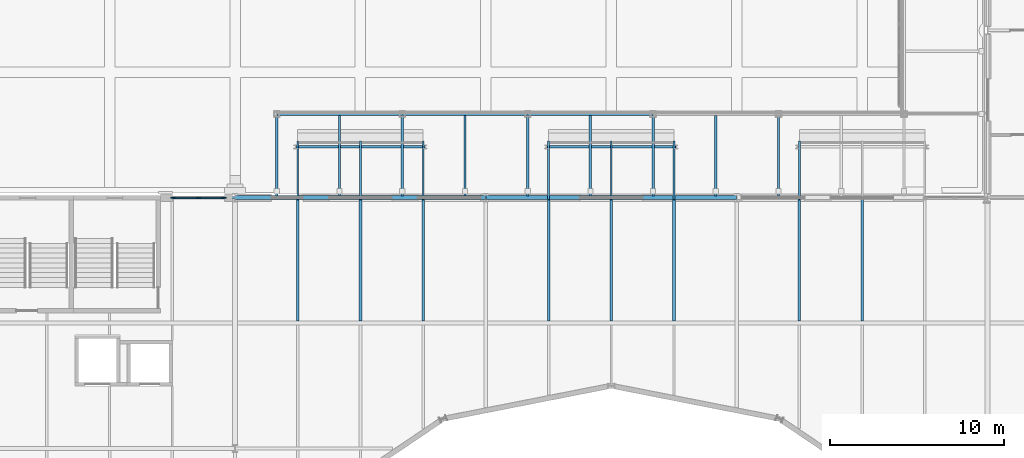
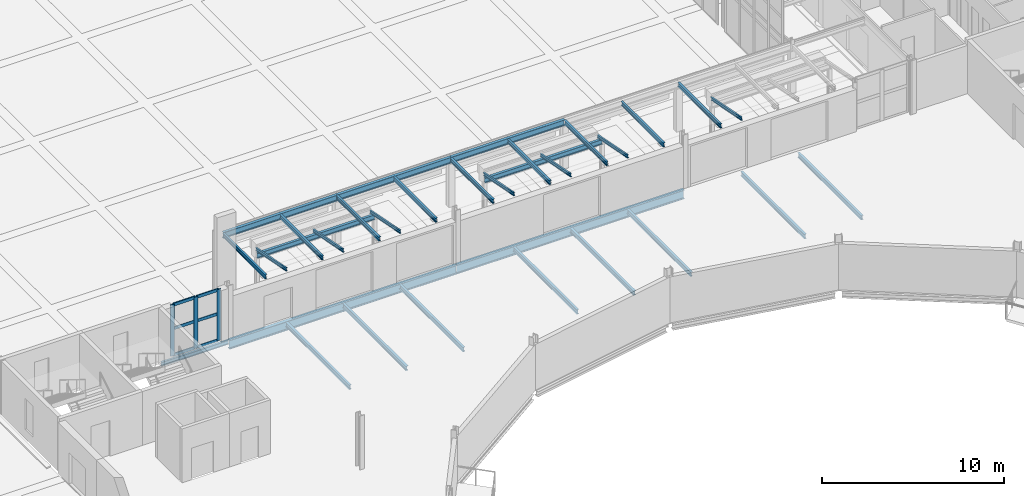
# One storey, part 47 of 143: 32 beams, 9 members, 1 element without a shape of its own.
"""IFC4 building model written with IfcOpenShell, lengths in metres."""

import ifcopenshell
import ifcopenshell.guid

model = None  # the IFC model being written
_history = None  # IfcOwnerHistory: only IFC2X3 demands one
_inside = {}  # id of a spatial element -> (the spatial element, [elements in it])
_under = {}  # id of a project, library or spatial element -> (it, [spatial elements below it])
_declared = {}  # id of a project -> (the project, [libraries it declares])
_typed = {}  # id of a type object -> (the type object, [elements of that type])
_made_of = {}  # id of a material, layer set ... -> (it, [elements and type objects made of it])


def new_model(schema):
    """Start an empty IFC model of exactly this schema.

    Asked for "IFC4X3", IfcOpenShell would pick the latest addendum, in which some entities
    have other attributes; the version numbers below select the first issue.
    IFC2X3 requires an IfcOwnerHistory on every rooted entity: one is made here for all.
    """
    global model, _history
    if schema == "IFC4X3":
        model = ifcopenshell.file(schema_version=(4, 3, 0, 0))
    else:
        model = ifcopenshell.file(schema=schema)
    _inside.clear()
    _under.clear()
    _declared.clear()
    _typed.clear()
    _made_of.clear()
    _history = None
    if model.schema == "IFC2X3":
        org = make("IfcOrganization", Name="unknown")
        user = make(
            "IfcPersonAndOrganization",
            ThePerson=make("IfcPerson", FamilyName="unknown"),
            TheOrganization=org,
        )
        app = make(
            "IfcApplication",
            ApplicationDeveloper=org,
            Version="unknown",
            ApplicationFullName="unknown",
            ApplicationIdentifier="unknown",
        )
        _history = make(
            "IfcOwnerHistory",
            OwningUser=user,
            OwningApplication=app,
            ChangeAction="ADDED",
            CreationDate=0,
        )
    return model


def make(cls, **values):
    """One entity of the class cls with the attributes given. An attribute that is None is left unset."""
    return model.create_entity(
        cls, **{name: value for name, value in values.items() if value is not None}
    )


def rooted(cls, **values):
    """An entity with a GlobalId (a new one), such as an element, a storey or a relation."""
    return make(cls, GlobalId=ifcopenshell.guid.new(), OwnerHistory=_history, **values)


def si_unit(unit_type, name, prefix=None):
    """IfcSIUnit, for example si_unit("LENGTHUNIT", "METRE", prefix="MILLI")."""
    return make("IfcSIUnit", UnitType=unit_type, Prefix=prefix, Name=name)


def assignment(units):
    """IfcUnitAssignment: the units of a project."""
    return None if units is None else make("IfcUnitAssignment", Units=units)


def point(xyz):
    """IfcCartesianPoint."""
    return None if xyz is None else make("IfcCartesianPoint", Coordinates=xyz)


def direction(xyz):
    """IfcDirection."""
    return None if xyz is None else make("IfcDirection", DirectionRatios=xyz)


def frame(location, z_axis=None, x_axis=None):
    """IfcAxis2Placement3D, a coordinate frame: its origin and axes. An axis left out is left unset."""
    return make(
        "IfcAxis2Placement3D",
        Location=point(location),
        Axis=direction(z_axis),
        RefDirection=direction(x_axis),
    )


def frame_2d(location, x_axis=None):
    """IfcAxis2Placement2D, a coordinate frame in the plane: its origin and x axis."""
    return make(
        "IfcAxis2Placement2D", Location=point(location), RefDirection=direction(x_axis)
    )


def origin():
    """The frame at (0, 0, 0) with its axes left unset."""
    return frame((0.0, 0.0, 0.0))


def origin_2d():
    """The frame at (0, 0) in the plane with its x axis left unset."""
    return frame_2d((0.0, 0.0))


def place(relative_to, where):
    """IfcLocalPlacement: puts the frame where relative to a parent placement (None: the world)."""
    return make(
        "IfcLocalPlacement", PlacementRelTo=relative_to, RelativePlacement=where
    )


def context(
    kind, dimensions, precision=None, world=None, true_north=None, identifier=None
):
    """IfcGeometricRepresentationContext, for example the 3D "Model" context."""
    return make(
        "IfcGeometricRepresentationContext",
        ContextIdentifier=identifier,
        ContextType=kind,
        CoordinateSpaceDimension=dimensions,
        Precision=precision,
        WorldCoordinateSystem=world,
        TrueNorth=true_north,
    )


def subcontext(parent, identifier, kind, view, scale=None):
    """IfcGeometricRepresentationSubContext, for example "Body" below "Model"."""
    return make(
        "IfcGeometricRepresentationSubContext",
        ContextIdentifier=identifier,
        ContextType=kind,
        ParentContext=parent,
        TargetScale=scale,
        TargetView=view,
    )


def project(units=None, contexts=None):
    """IfcProject with its units and contexts."""
    return rooted(
        "IfcProject",
        Name="project",
        RepresentationContexts=contexts,
        UnitsInContext=assignment(units),
    )


def spatial(cls, under=None, at=None, **own):
    """A site, building, storey or space (cls), placed at a placement, below another one or the project."""
    s = rooted(cls, ObjectPlacement=at, **own)
    if under is not None:
        _under.setdefault(under.id(), (under, []))[1].append(s)
    return s


def profile(cls, at=None, kind="AREA", **sizes):
    """A parametric profile (cls). Its sizes go by their IFC names, for example OverallWidth=200.0."""
    return make(cls, ProfileType=kind, Position=at, **sizes)


def rectangle(**sizes):
    """IfcRectangleProfileDef."""
    return profile("IfcRectangleProfileDef", **sizes)


def i_section(**sizes):
    """IfcIShapeProfileDef."""
    return profile("IfcIShapeProfileDef", **sizes)


def extrude(swept, where, along, depth):
    """IfcExtrudedAreaSolid: the profile swept, set in the frame where, extruded along a direction by depth."""
    return make(
        "IfcExtrudedAreaSolid",
        SweptArea=swept,
        Position=where,
        ExtrudedDirection=direction(along),
        Depth=depth,
    )


def shape(context_of_items, identifier, shape_type, items):
    """IfcShapeRepresentation: the items that make up one representation, for example the "Body"."""
    return make(
        "IfcShapeRepresentation",
        ContextOfItems=context_of_items,
        RepresentationIdentifier=identifier,
        RepresentationType=shape_type,
        Items=items,
    )


def material(Name=None, Category=None):
    """IfcMaterial."""
    return make("IfcMaterial", Name=Name, Category=Category)


def material_profile(
    of_material, cross_section, Name=None, Category=None, Priority=None
):
    """IfcMaterialProfile: a cross section and its material."""
    return make(
        "IfcMaterialProfile",
        Name=Name,
        Material=of_material,
        Profile=cross_section,
        Priority=Priority,
        Category=Category,
    )


def profile_set(profiles, Name=None, composite=None):
    """IfcMaterialProfileSet."""
    return make(
        "IfcMaterialProfileSet",
        Name=Name,
        MaterialProfiles=profiles,
        CompositeProfile=composite,
    )


def made_of(thing, what):
    """Note that an element or type object is made of a material, layer set ...; save() writes the relation."""
    if what is not None:
        _made_of.setdefault(what.id(), (what, []))[1].append(thing)
    return thing


def type_object(cls, material=None, **own):
    """A type object (cls), such as IfcWallType, which elements share."""
    return made_of(rooted(cls, **own), material)


def element(
    cls,
    number,
    at=None,
    inside=None,
    cuts=None,
    type_object=None,
    material=None,
    context=None,
    identifier="Body",
    shape_type=None,
    held_by="IfcProductDefinitionShape",
    body=None,
    shapes=None,
    **own,
):
    """One element of the class cls, such as IfcWall. Its Tag is "e" and its number.

    at: its placement. inside: the storey or other place that contains it. cuts: it is an
    opening in that element (IfcRelVoidsElement). A single representation is given by context,
    identifier, shape_type and body (its items); several are given by shapes. held_by: the class
    of the entity that holds the representations. save() writes the other relations.
    """
    e = rooted(cls, Tag="e%d" % number, ObjectPlacement=at, **own)
    if body is not None:
        shapes = [shape(context, identifier, shape_type, body)]
    if shapes is not None:
        e.Representation = make(held_by, Representations=shapes)
    if inside is not None:
        _inside.setdefault(inside.id(), (inside, []))[1].append(e)
    if cuts is not None:
        rooted(
            "IfcRelVoidsElement", RelatingBuildingElement=cuts, RelatedOpeningElement=e
        )
    if type_object is not None:
        _typed.setdefault(type_object.id(), (type_object, []))[1].append(e)
    return made_of(e, material)


def aggregate(whole, parts):
    """IfcRelAggregates: a whole, such as a stair, and the parts it consists of."""
    return rooted("IfcRelAggregates", RelatingObject=whole, RelatedObjects=parts)


def save(model, path):
    """Write the relations noted so far, then the file.

    IfcRelAggregates (storeys below a building ...), IfcRelContainedInSpatialStructure (elements
    in a storey), IfcRelDefinesByType, IfcRelAssociatesMaterial and IfcRelDeclares: one each for
    every whole, place, type object, material and project.
    """
    for whole, parts in _under.values():
        aggregate(whole, parts)
    for where, things in _inside.values():
        rooted(
            "IfcRelContainedInSpatialStructure",
            RelatedElements=things,
            RelatingStructure=where,
        )
    for kind, things in _typed.values():
        rooted("IfcRelDefinesByType", RelatedObjects=things, RelatingType=kind)
    for what, things in _made_of.values():
        rooted("IfcRelAssociatesMaterial", RelatedObjects=things, RelatingMaterial=what)
    for by, libraries in _declared.values():
        rooted("IfcRelDeclares", RelatingContext=by, RelatedDefinitions=libraries)
    model.write(path)


model = new_model("IFC4")

# Units and contexts
model_context = context("Model", 3, precision=1e-05, world=origin(), true_north=direction((0.0, 1.0)))
body_context = subcontext(model_context, "Body", "Model", "MODEL_VIEW")
ifc_project = project(units=[si_unit("LENGTHUNIT", "METRE"), si_unit("AREAUNIT", "SQUARE_METRE"), si_unit("VOLUMEUNIT", "CUBIC_METRE"), si_unit("PLANEANGLEUNIT", "RADIAN"), si_unit("MASSUNIT", "GRAM", prefix="KILO")], contexts=[model_context])

# Site, building, storey
site_placement = place(None, origin())
site = spatial("IfcSite", under=ifc_project, at=site_placement, CompositionType="ELEMENT")
building_placement = place(site_placement, origin())
building = spatial("IfcBuilding", under=site, at=building_placement, Name="Kupolbacken Congress Centre", CompositionType="ELEMENT")
storey_placement = place(building_placement, frame((0.0, 0.0, 7.199951171875)))
storey = spatial("IfcBuildingStorey", under=building, at=storey_placement, Name="L02", CompositionType="ELEMENT", Elevation=7.199951171875)

# Beams
ifc_material_1 = material(Name="Steel S355", Category="steel")
ifc_material_profile_1 = material_profile(ifc_material_1, i_section(OverallWidth=0.10009765625, OverallDepth=0.199951171875, WebThickness=0.005615234375, FlangeThickness=0.008544921875, FilletRadius=0.011962890625, at=origin_2d()), Name="IPE 200")
ifc_profile_set_1 = profile_set([ifc_material_profile_1], Name="Steel S355")
beam_type_1 = type_object("IfcBeamType", Name="B01 beam IPE 200", PredefinedType="BEAM", material=ifc_profile_set_1)
for number, where, z_axis, x_axis, name in (
    (1, (32.39990234375, 122.280029296875, 3.320068359375), (0.0, 0.981591109937, -0.190994483931), (-1.0, 0.0, 0.0), "Canopy beam"),
    (2, (28.800048828125, 122.280029296875, 3.320068359375), (0.0, 0.981591109937, -0.190994483931), (-1.0, 0.0, 0.0), "Canopy beam"),
    (3, (25.199951171875, 122.280029296875, 3.320068359375), (0.0, 0.981591109937, -0.190994483931), (-1.0, 0.0, 0.0), "Canopy beam"),
    (4, (46.800048828125, 122.280029296875, 3.320068359375), (0.0, 0.981591109937, -0.190994483931), (-1.0, 0.0, 0.0), "Canopy beam"),
    (5, (43.199951171875, 122.280029296875, 3.320068359375), (0.0, 0.981591109937, -0.190994483931), (-1.0, 0.0, 0.0), "Canopy beam"),
    (6, (39.60009765625, 122.280029296875, 3.320068359375), (0.0, 0.981591109937, -0.190994483931), (-1.0, 0.0, 0.0), "Canopy beam"),
    (7, (54.0, 122.280029296875, 3.320068359375), (0.0, 0.981591109937, -0.190994483931), (-1.0, 0.0, 0.0), "Canopy beam"),
):
    element("IfcBeam", number, at=place(storey_placement, frame(where, z_axis=z_axis, x_axis=x_axis)), inside=storey, type_object=beam_type_1, Name=name, PredefinedType="BEAM", context=body_context, shape_type="SweptSolid", body=[
        extrude(i_section(OverallWidth=0.10009765625, OverallDepth=0.199951171875, WebThickness=0.005615234375, FlangeThickness=0.008544921875, FilletRadius=0.011962890625, at=origin_2d()), origin(), (0.0, 0.0, 1.0), 3.40283203125),
    ])
ifc_material_2 = material(Name="Steel S355", Category="steel")
ifc_material_profile_2 = material_profile(ifc_material_2, i_section(OverallWidth=0.135009765625, OverallDepth=0.27001953125, WebThickness=0.006591796875, FlangeThickness=0.01025390625, FilletRadius=0.014892578125, at=origin_2d()), Name="IPE 270")
ifc_profile_set_2 = profile_set([ifc_material_profile_2], Name="Steel S355")
beam_type_2 = type_object("IfcBeamType", Name="B03 beam IPE 270", PredefinedType="BEAM", material=ifc_profile_set_2)
beam_1_placement = place(storey_placement, frame((17.324951171875, 122.39990234375, -0.31494140625), z_axis=(1.0, 0.0, 0.0), x_axis=(0.0, 1.0, 0.0)))
element("IfcBeam", 8, at=beam_1_placement, inside=storey, type_object=beam_type_2, Name="S/floor/P/L02/R070", PredefinedType="BEAM", context=body_context, shape_type="SweptSolid", body=[
    extrude(i_section(OverallWidth=0.135009765625, OverallDepth=0.27001953125, WebThickness=0.006591796875, FlangeThickness=0.01025390625, FilletRadius=0.014892578125, at=origin_2d()), origin(), (0.0, 0.0, 1.0), 4.26806640625),
])
for number, where, z_axis, x_axis, name in (
    (9, (24.0, 122.47998046875, 3.135009765625), (0.0, 1.0, 0.0), (-1.0, 0.0, 0.0), "E/T/portico/P/raft24"),
    (10, (27.60009765625, 122.47998046875, 3.135009765625), (0.0, 1.0, 0.0), (-1.0, 0.0, 0.0), "E/T/portico/P/raft27.6"),
    (11, (31.199951171875, 122.47998046875, 3.135009765625), (0.0, 1.0, 0.0), (-1.0, 0.0, 0.0), "E/T/portico/P/raft31.2"),
    (12, (34.800048828125, 122.47998046875, 3.135009765625), (0.0, 1.0, 0.0), (-1.0, 0.0, 0.0), "E/T/portico/P/raft34.8"),
    (13, (38.39990234375, 122.47998046875, 3.135009765625), (0.0, 1.0, 0.0), (-1.0, 0.0, 0.0), "E/T/portico/P/raft38.4"),
    (14, (42.0, 122.47998046875, 3.135009765625), (0.0, 1.0, 0.0), (-1.0, 0.0, 0.0), "E/T/portico/P/raft42"),
    (15, (45.60009765625, 122.47998046875, 3.135009765625), (0.0, 1.0, 0.0), (-1.0, 0.0, 0.0), "E/T/portico/P/raft45.6"),
    (16, (49.199951171875, 122.47998046875, 3.135009765625), (0.0, 1.0, 0.0), (-1.0, 0.0, 0.0), "E/T/portico/P/raft49.2"),
    (17, (52.800048828125, 122.47998046875, 3.135009765625), (0.0, 1.0, 0.0), (-1.0, 0.0, 0.0), "E/T/portico/P/raft52.8"),
):
    element("IfcBeam", number, at=place(storey_placement, frame(where, z_axis=z_axis, x_axis=x_axis)), inside=storey, type_object=beam_type_2, Name=name, PredefinedType="BEAM", context=body_context, shape_type="SweptSolid", body=[
        extrude(i_section(OverallWidth=0.135009765625, OverallDepth=0.27001953125, WebThickness=0.006591796875, FlangeThickness=0.01025390625, FilletRadius=0.014892578125, at=origin_2d()), origin(), (0.0, 0.0, 1.0), 4.635009765625),
    ])
ifc_material_3 = material(Name="Steel S355", Category="steel")
ifc_material_profile_3 = material_profile(ifc_material_3, i_section(OverallWidth=0.14990234375, OverallDepth=0.300048828125, WebThickness=0.007080078125, FlangeThickness=0.0107421875, FilletRadius=0.014892578125, at=origin_2d()), Name="IPE 300")
ifc_profile_set_3 = profile_set([ifc_material_profile_3], Name="Steel S355")
beam_type_3 = type_object("IfcBeamType", Name="B04 beam IPE 300", PredefinedType="BEAM", material=ifc_profile_set_3)
for number, where, z_axis, x_axis, name in (
    (18, (25.199951171875, 115.31005859375, -0.329833984375), (0.0, 1.0, 0.0), (-1.0, 0.0, 0.0), "S/floor/P/L02/S101"),
    (19, (28.800048828125, 115.31005859375, -0.329833984375), (0.0, 1.0, 0.0), (-1.0, 0.0, 0.0), "S/floor/P/L02/S107"),
    (20, (32.39990234375, 115.31005859375, -0.329833984375), (0.0, 1.0, 0.0), (-1.0, 0.0, 0.0), "S/floor/P/L02/S111"),
    (21, (39.60009765625, 115.31005859375, -0.329833984375), (0.0, 1.0, 0.0), (-1.0, 0.0, 0.0), "S/floor/P/L02/S115"),
    (22, (43.199951171875, 115.31005859375, -0.329833984375), (0.0, 1.0, 0.0), (-1.0, 0.0, 0.0), "S/floor/P/L02/S119"),
    (23, (46.800048828125, 115.31005859375, -0.329833984375), (0.0, 1.0, 0.0), (-1.0, 0.0, 0.0), "S/floor/P/L02/S123"),
    (24, (54.0, 115.31005859375, -0.329833984375), (0.0, 1.0, 0.0), (-1.0, 0.0, 0.0), "S/floor/P/L02/S127"),
    (25, (57.60009765625, 115.31005859375, -0.329833984375), (0.0, 1.0, 0.0), (-1.0, 0.0, 0.0), "S/floor/P/L02/S133"),
):
    element("IfcBeam", number, at=place(storey_placement, frame(where, z_axis=z_axis, x_axis=x_axis)), inside=storey, type_object=beam_type_3, Name=name, PredefinedType="BEAM", context=body_context, shape_type="SweptSolid", body=[
        extrude(i_section(OverallWidth=0.14990234375, OverallDepth=0.300048828125, WebThickness=0.007080078125, FlangeThickness=0.0107421875, FilletRadius=0.014892578125, at=origin_2d()), origin(), (0.0, 0.0, 1.0), 6.97998046875),
    ])
ifc_material_4 = material(Name="Steel S355", Category="steel")
ifc_material_profile_4 = material_profile(ifc_material_4, i_section(OverallWidth=0.159912109375, OverallDepth=0.330078125, WebThickness=0.007568359375, FlangeThickness=0.011474609375, FilletRadius=0.01806640625, at=origin_2d()), Name="IPE 330")
ifc_profile_set_4 = profile_set([ifc_material_profile_4], Name="Steel S355")
beam_type_4 = type_object("IfcBeamType", Name="B05 beam IPE 330", PredefinedType="BEAM", material=ifc_profile_set_4)
for number, where, z_axis, x_axis, name in (
    (26, (32.52001953125, 125.320068359375, 2.463134765625), (-1.0, 0.0, 0.0), (0.0, -1.0, 0.0), "Canopy tip beam"),
    (27, (46.919921875, 125.320068359375, 2.463134765625), (-1.0, 0.0, 0.0), (0.0, -1.0, 0.0), "Canopy tip beam"),
):
    element("IfcBeam", number, at=place(storey_placement, frame(where, z_axis=z_axis, x_axis=x_axis)), inside=storey, type_object=beam_type_4, Name=name, PredefinedType="BEAM", context=body_context, shape_type="SweptSolid", body=[
        extrude(i_section(OverallWidth=0.159912109375, OverallDepth=0.330078125, WebThickness=0.007568359375, FlangeThickness=0.011474609375, FilletRadius=0.01806640625, at=origin_2d()), origin(), (0.0, 0.0, 1.0), 7.43994140625),
    ])
ifc_material_5 = material(Name="Steel S355", Category="steel")
ifc_material_profile_5 = material_profile(ifc_material_5, i_section(OverallWidth=0.179931640625, OverallDepth=0.39990234375, WebThickness=0.008544921875, FlangeThickness=0.013427734375, FilletRadius=0.02099609375, at=origin_2d()), Name="IPE 400")
ifc_profile_set_5 = profile_set([ifc_material_profile_5], Name="Steel S355")
beam_type_5 = type_object("IfcBeamType", Name="B07 beam IPE 400", PredefinedType="BEAM", material=ifc_profile_set_5)
for number, where, z_axis, x_axis, name in (
    (28, (24.0, 127.199951171875, 3.070068359375), (1.0, 0.0, 0.0), (0.0, 1.0, 0.0), "E/T/portico/P/lintel24"),
    (29, (31.199951171875, 127.199951171875, 3.070068359375), (1.0, 0.0, 0.0), (0.0, 1.0, 0.0), "E/T/portico/P/lintel31.2"),
):
    element("IfcBeam", number, at=place(storey_placement, frame(where, z_axis=z_axis, x_axis=x_axis)), inside=storey, type_object=beam_type_5, Name=name, PredefinedType="BEAM", context=body_context, shape_type="SweptSolid", body=[
        extrude(i_section(OverallWidth=0.179931640625, OverallDepth=0.39990234375, WebThickness=0.008544921875, FlangeThickness=0.013427734375, FilletRadius=0.02099609375, at=origin_2d()), origin(), (0.0, 0.0, 1.0), 7.199951171875),
    ])
beam_2_placement = place(storey_placement, frame((38.39990234375, 127.199951171875, 3.070068359375), z_axis=(1.0, 0.0, 0.0), x_axis=(0.0, 1.0, 0.0)))
element("IfcBeam", 30, at=beam_2_placement, inside=storey, type_object=beam_type_5, Name="E/T/portico/P/lintel38.4", PredefinedType="BEAM", context=body_context, shape_type="SweptSolid", body=[
    extrude(i_section(OverallWidth=0.179931640625, OverallDepth=0.39990234375, WebThickness=0.008544921875, FlangeThickness=0.013427734375, FilletRadius=0.02099609375, at=origin_2d()), origin(), (0.0, 0.0, 1.0), 7.2001953125),
])
ifc_material_6 = material(Name="Steel S355", Category="steel")
ifc_material_profile_6 = material_profile(ifc_material_6, i_section(OverallWidth=0.219970703125, OverallDepth=0.60009765625, WebThickness=0.011962890625, FlangeThickness=0.01904296875, FilletRadius=0.02392578125, at=origin_2d()), Name="IPE 600")
ifc_profile_set_6 = profile_set([ifc_material_profile_6], Name="Steel S355")
beam_type_6 = type_object("IfcBeamType", Name="B11 beam IPE 600", PredefinedType="BEAM", material=ifc_profile_set_6)
for number, where, z_axis, x_axis, name in (
    (31, (21.60693359375, 122.39990234375, -0.47998046875), (1.0, 0.0, 0.0), (0.0, 1.0, 0.0), "S/floor/P/L02/R071"),
    (32, (36.007080078125, 122.39990234375, -0.47998046875), (1.0, 0.0, 0.0), (0.0, 1.0, 0.0), "S/floor/P/L02/R072"),
):
    element("IfcBeam", number, at=place(storey_placement, frame(where, z_axis=z_axis, x_axis=x_axis)), inside=storey, type_object=beam_type_6, Name=name, PredefinedType="BEAM", context=body_context, shape_type="SweptSolid", body=[
        extrude(i_section(OverallWidth=0.219970703125, OverallDepth=0.60009765625, WebThickness=0.011962890625, FlangeThickness=0.01904296875, FilletRadius=0.02392578125, at=origin_2d()), origin(), (0.0, 0.0, 1.0), 14.385986328125),
    ])

# Curtain wall, members
ifc_material_7 = material(Name="Aluminium mullion-transom frame with glass", Category="aluminium")
curtain_wall_type = type_object("IfcCurtainWallType", Name="CW2 curtain wall 3600x3600", PredefinedType="NOTDEFINED", material=ifc_material_7)
curtain_wall_placement = place(storey_placement, origin())
curtain_wall = element("IfcCurtainWall", 33, at=curtain_wall_placement, inside=storey, type_object=curtain_wall_type, Name="E/P/N/L02/282", PredefinedType="NOTDEFINED")
ifc_material_8 = material(Name="Aluminium alloy", Category="aluminium")
ifc_material_profile_7 = material_profile(ifc_material_8, rectangle(XDim=0.06005859375, YDim=0.25, at=origin_2d()), Name="60 x 250")
ifc_profile_set_7 = profile_set([ifc_material_profile_7], Name="Aluminium alloy")
member_type_1 = type_object("IfcMemberType", Name="MU3 mullion 60x250", PredefinedType="MULLION", material=ifc_profile_set_7)
member_1_placement = place(storey_placement, frame((20.969970703125, 122.39990234375, 0.0), z_axis=(0.0, 0.0, 1.0), x_axis=(0.0, -1.0, 0.0)))
member_1 = element("IfcMember", 34, at=member_1_placement, type_object=member_type_1, Name="CW2 mullion 1", PredefinedType="MULLION", context=body_context, shape_type="SweptSolid", body=[
    extrude(rectangle(XDim=0.06005859375, YDim=0.25, at=origin_2d()), origin(), (0.0, 0.0, 1.0), 3.420166015625),
])
member_2_placement = place(storey_placement, frame((19.5, 122.39990234375, 0.0), z_axis=(0.0, 0.0, 1.0), x_axis=(0.0, -1.0, 0.0)))
member_2 = element("IfcMember", 35, at=member_2_placement, type_object=member_type_1, Name="CW2 mullion 2", PredefinedType="MULLION", context=body_context, shape_type="SweptSolid", body=[
    extrude(rectangle(XDim=0.06005859375, YDim=0.25, at=origin_2d()), origin(), (0.0, 0.0, 1.0), 3.420166015625),
])
member_3_placement = place(storey_placement, frame((18.030029296875, 122.39990234375, 0.0), z_axis=(0.0, 0.0, 1.0), x_axis=(0.0, -1.0, 0.0)))
member_3 = element("IfcMember", 36, at=member_3_placement, type_object=member_type_1, Name="CW2 mullion 3", PredefinedType="MULLION", context=body_context, shape_type="SweptSolid", body=[
    extrude(rectangle(XDim=0.06005859375, YDim=0.25, at=origin_2d()), origin(), (0.0, 0.0, 1.0), 3.420166015625),
])
ifc_material_9 = material(Name="Aluminium alloy", Category="aluminium")
ifc_material_profile_8 = material_profile(ifc_material_9, rectangle(XDim=0.06005859375, YDim=0.199951171875, at=origin_2d()), Name="60 x 200")
ifc_profile_set_8 = profile_set([ifc_material_profile_8], Name="Aluminium alloy")
member_type_2 = type_object("IfcMemberType", Name="TR3 transom 60x200", PredefinedType="MULLION", material=ifc_profile_set_8)
member_4_placement = place(storey_placement, frame((20.93994140625, 122.39990234375, 0.030029296875), z_axis=(-1.0, 0.0, 0.0), x_axis=(0.0, -1.0, 0.0)))
member_4 = element("IfcMember", 37, at=member_4_placement, type_object=member_type_2, Name="CW2 transom 1.1", PredefinedType="MULLION", context=body_context, shape_type="SweptSolid", body=[
    extrude(rectangle(XDim=0.06005859375, YDim=0.199951171875, at=origin_2d()), origin(), (0.0, 0.0, 1.0), 1.409912109375),
])
member_5_placement = place(storey_placement, frame((20.93994140625, 122.39990234375, 1.800048828125), z_axis=(-1.0, 0.0, 0.0), x_axis=(0.0, -1.0, 0.0)))
member_5 = element("IfcMember", 38, at=member_5_placement, type_object=member_type_2, Name="CW2 transom 1.2", PredefinedType="MULLION", context=body_context, shape_type="SweptSolid", body=[
    extrude(rectangle(XDim=0.06005859375, YDim=0.199951171875, at=origin_2d()), origin(), (0.0, 0.0, 1.0), 1.409912109375),
])
member_6_placement = place(storey_placement, frame((20.93994140625, 122.39990234375, 3.39013671875), z_axis=(-1.0, 0.0, 0.0), x_axis=(0.0, -1.0, 0.0)))
member_6 = element("IfcMember", 39, at=member_6_placement, type_object=member_type_2, Name="CW2 transom 1.3", PredefinedType="MULLION", context=body_context, shape_type="SweptSolid", body=[
    extrude(rectangle(XDim=0.06005859375, YDim=0.199951171875, at=origin_2d()), origin(), (0.0, 0.0, 1.0), 1.409912109375),
])
member_7_placement = place(storey_placement, frame((19.469970703125, 122.39990234375, 0.030029296875), z_axis=(-1.0, 0.0, 0.0), x_axis=(0.0, -1.0, 0.0)))
member_7 = element("IfcMember", 40, at=member_7_placement, type_object=member_type_2, Name="CW2 transom 2.1", PredefinedType="MULLION", context=body_context, shape_type="SweptSolid", body=[
    extrude(rectangle(XDim=0.06005859375, YDim=0.199951171875, at=origin_2d()), origin(), (0.0, 0.0, 1.0), 1.409912109375),
])
member_8_placement = place(storey_placement, frame((19.469970703125, 122.39990234375, 1.800048828125), z_axis=(-1.0, 0.0, 0.0), x_axis=(0.0, -1.0, 0.0)))
member_8 = element("IfcMember", 41, at=member_8_placement, type_object=member_type_2, Name="CW2 transom 2.2", PredefinedType="MULLION", context=body_context, shape_type="SweptSolid", body=[
    extrude(rectangle(XDim=0.06005859375, YDim=0.199951171875, at=origin_2d()), origin(), (0.0, 0.0, 1.0), 1.409912109375),
])
member_9_placement = place(storey_placement, frame((19.469970703125, 122.39990234375, 3.39013671875), z_axis=(-1.0, 0.0, 0.0), x_axis=(0.0, -1.0, 0.0)))
member_9 = element("IfcMember", 42, at=member_9_placement, type_object=member_type_2, Name="CW2 transom 2.3", PredefinedType="MULLION", context=body_context, shape_type="SweptSolid", body=[
    extrude(rectangle(XDim=0.06005859375, YDim=0.199951171875, at=origin_2d()), origin(), (0.0, 0.0, 1.0), 1.409912109375),
])
aggregate(curtain_wall, [member_1, member_2, member_3, member_4, member_5, member_6, member_7, member_8, member_9])

save(model, "model.ifc")
